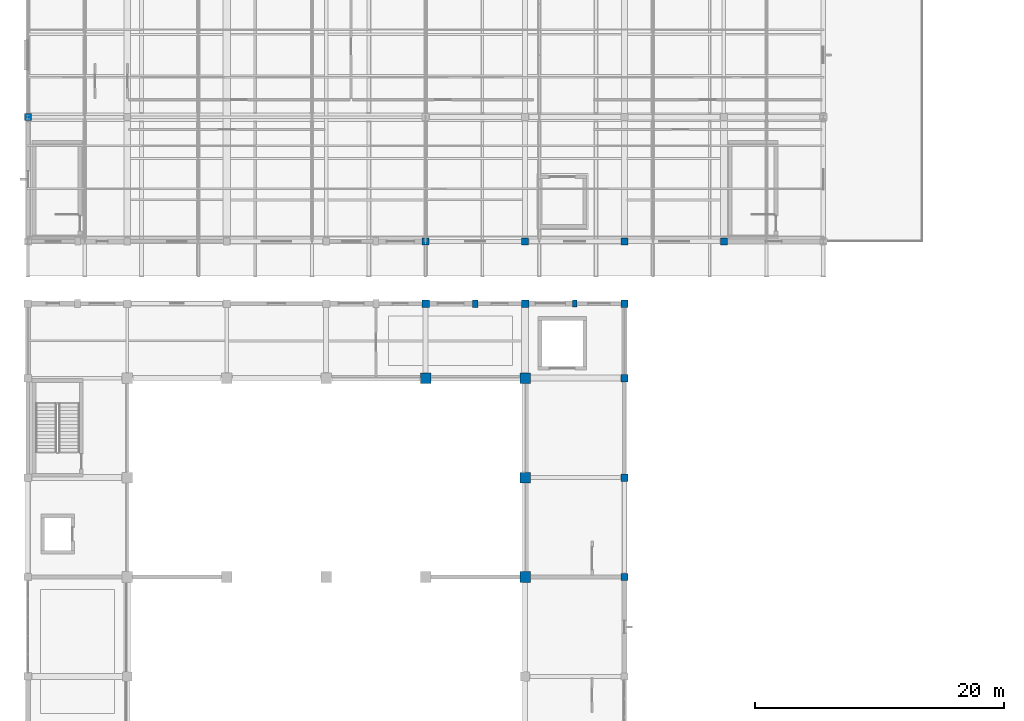
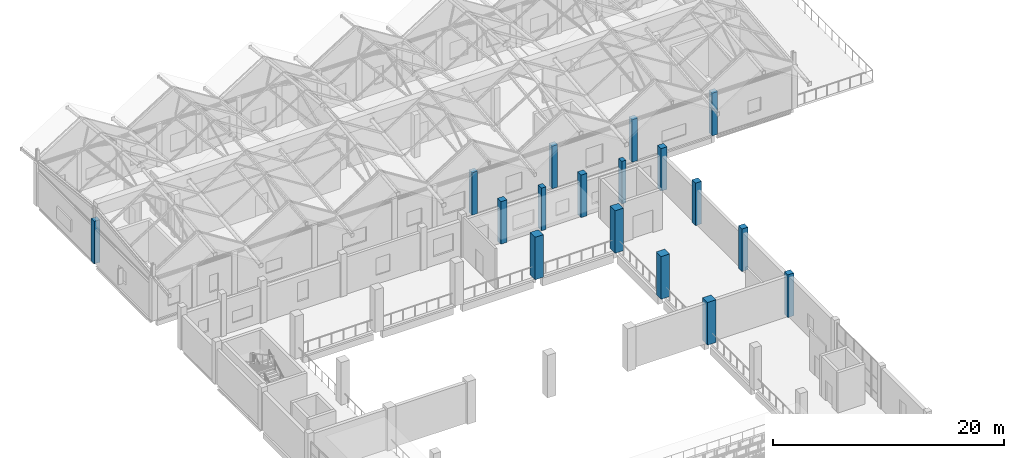
# One storey, part 4 of 183: 17 columns.
"""IFC4 building model written with IfcOpenShell, lengths in metres."""

import ifcopenshell
import ifcopenshell.guid

model = None  # the IFC model being written
_history = None  # IfcOwnerHistory: only IFC2X3 demands one
_inside = {}  # id of a spatial element -> (the spatial element, [elements in it])
_under = {}  # id of a project, library or spatial element -> (it, [spatial elements below it])
_declared = {}  # id of a project -> (the project, [libraries it declares])
_typed = {}  # id of a type object -> (the type object, [elements of that type])
_made_of = {}  # id of a material, layer set ... -> (it, [elements and type objects made of it])


def new_model(schema):
    """Start an empty IFC model of exactly this schema.

    Asked for "IFC4X3", IfcOpenShell would pick the latest addendum, in which some entities
    have other attributes; the version numbers below select the first issue.
    IFC2X3 requires an IfcOwnerHistory on every rooted entity: one is made here for all.
    """
    global model, _history
    if schema == "IFC4X3":
        model = ifcopenshell.file(schema_version=(4, 3, 0, 0))
    else:
        model = ifcopenshell.file(schema=schema)
    _inside.clear()
    _under.clear()
    _declared.clear()
    _typed.clear()
    _made_of.clear()
    _history = None
    if model.schema == "IFC2X3":
        org = make("IfcOrganization", Name="unknown")
        user = make(
            "IfcPersonAndOrganization",
            ThePerson=make("IfcPerson", FamilyName="unknown"),
            TheOrganization=org,
        )
        app = make(
            "IfcApplication",
            ApplicationDeveloper=org,
            Version="unknown",
            ApplicationFullName="unknown",
            ApplicationIdentifier="unknown",
        )
        _history = make(
            "IfcOwnerHistory",
            OwningUser=user,
            OwningApplication=app,
            ChangeAction="ADDED",
            CreationDate=0,
        )
    return model


def make(cls, **values):
    """One entity of the class cls with the attributes given. An attribute that is None is left unset."""
    return model.create_entity(
        cls, **{name: value for name, value in values.items() if value is not None}
    )


def rooted(cls, **values):
    """An entity with a GlobalId (a new one), such as an element, a storey or a relation."""
    return make(cls, GlobalId=ifcopenshell.guid.new(), OwnerHistory=_history, **values)


def si_unit(unit_type, name, prefix=None):
    """IfcSIUnit, for example si_unit("LENGTHUNIT", "METRE", prefix="MILLI")."""
    return make("IfcSIUnit", UnitType=unit_type, Prefix=prefix, Name=name)


def assignment(units):
    """IfcUnitAssignment: the units of a project."""
    return None if units is None else make("IfcUnitAssignment", Units=units)


def point(xyz):
    """IfcCartesianPoint."""
    return None if xyz is None else make("IfcCartesianPoint", Coordinates=xyz)


def direction(xyz):
    """IfcDirection."""
    return None if xyz is None else make("IfcDirection", DirectionRatios=xyz)


def frame(location, z_axis=None, x_axis=None):
    """IfcAxis2Placement3D, a coordinate frame: its origin and axes. An axis left out is left unset."""
    return make(
        "IfcAxis2Placement3D",
        Location=point(location),
        Axis=direction(z_axis),
        RefDirection=direction(x_axis),
    )


def frame_2d(location, x_axis=None):
    """IfcAxis2Placement2D, a coordinate frame in the plane: its origin and x axis."""
    return make(
        "IfcAxis2Placement2D", Location=point(location), RefDirection=direction(x_axis)
    )


def origin():
    """The frame at (0, 0, 0) with its axes left unset."""
    return frame((0.0, 0.0, 0.0))


def origin_2d():
    """The frame at (0, 0) in the plane with its x axis left unset."""
    return frame_2d((0.0, 0.0))


def place(relative_to, where):
    """IfcLocalPlacement: puts the frame where relative to a parent placement (None: the world)."""
    return make(
        "IfcLocalPlacement", PlacementRelTo=relative_to, RelativePlacement=where
    )


def context(
    kind, dimensions, precision=None, world=None, true_north=None, identifier=None
):
    """IfcGeometricRepresentationContext, for example the 3D "Model" context."""
    return make(
        "IfcGeometricRepresentationContext",
        ContextIdentifier=identifier,
        ContextType=kind,
        CoordinateSpaceDimension=dimensions,
        Precision=precision,
        WorldCoordinateSystem=world,
        TrueNorth=true_north,
    )


def subcontext(parent, identifier, kind, view, scale=None):
    """IfcGeometricRepresentationSubContext, for example "Body" below "Model"."""
    return make(
        "IfcGeometricRepresentationSubContext",
        ContextIdentifier=identifier,
        ContextType=kind,
        ParentContext=parent,
        TargetScale=scale,
        TargetView=view,
    )


def project(units=None, contexts=None):
    """IfcProject with its units and contexts."""
    return rooted(
        "IfcProject",
        Name="project",
        RepresentationContexts=contexts,
        UnitsInContext=assignment(units),
    )


def spatial(cls, under=None, at=None, **own):
    """A site, building, storey or space (cls), placed at a placement, below another one or the project."""
    s = rooted(cls, ObjectPlacement=at, **own)
    if under is not None:
        _under.setdefault(under.id(), (under, []))[1].append(s)
    return s


def profile(cls, at=None, kind="AREA", **sizes):
    """A parametric profile (cls). Its sizes go by their IFC names, for example OverallWidth=200.0."""
    return make(cls, ProfileType=kind, Position=at, **sizes)


def rectangle(**sizes):
    """IfcRectangleProfileDef."""
    return profile("IfcRectangleProfileDef", **sizes)


def extrude(swept, where, along, depth):
    """IfcExtrudedAreaSolid: the profile swept, set in the frame where, extruded along a direction by depth."""
    return make(
        "IfcExtrudedAreaSolid",
        SweptArea=swept,
        Position=where,
        ExtrudedDirection=direction(along),
        Depth=depth,
    )


def shape(context_of_items, identifier, shape_type, items):
    """IfcShapeRepresentation: the items that make up one representation, for example the "Body"."""
    return make(
        "IfcShapeRepresentation",
        ContextOfItems=context_of_items,
        RepresentationIdentifier=identifier,
        RepresentationType=shape_type,
        Items=items,
    )


def material(Name=None, Category=None):
    """IfcMaterial."""
    return make("IfcMaterial", Name=Name, Category=Category)


def material_profile(
    of_material, cross_section, Name=None, Category=None, Priority=None
):
    """IfcMaterialProfile: a cross section and its material."""
    return make(
        "IfcMaterialProfile",
        Name=Name,
        Material=of_material,
        Profile=cross_section,
        Priority=Priority,
        Category=Category,
    )


def profile_set(profiles, Name=None, composite=None):
    """IfcMaterialProfileSet."""
    return make(
        "IfcMaterialProfileSet",
        Name=Name,
        MaterialProfiles=profiles,
        CompositeProfile=composite,
    )


def made_of(thing, what):
    """Note that an element or type object is made of a material, layer set ...; save() writes the relation."""
    if what is not None:
        _made_of.setdefault(what.id(), (what, []))[1].append(thing)
    return thing


def type_object(cls, material=None, **own):
    """A type object (cls), such as IfcWallType, which elements share."""
    return made_of(rooted(cls, **own), material)


def element(
    cls,
    number,
    at=None,
    inside=None,
    cuts=None,
    type_object=None,
    material=None,
    context=None,
    identifier="Body",
    shape_type=None,
    held_by="IfcProductDefinitionShape",
    body=None,
    shapes=None,
    **own,
):
    """One element of the class cls, such as IfcWall. Its Tag is "e" and its number.

    at: its placement. inside: the storey or other place that contains it. cuts: it is an
    opening in that element (IfcRelVoidsElement). A single representation is given by context,
    identifier, shape_type and body (its items); several are given by shapes. held_by: the class
    of the entity that holds the representations. save() writes the other relations.
    """
    e = rooted(cls, Tag="e%d" % number, ObjectPlacement=at, **own)
    if body is not None:
        shapes = [shape(context, identifier, shape_type, body)]
    if shapes is not None:
        e.Representation = make(held_by, Representations=shapes)
    if inside is not None:
        _inside.setdefault(inside.id(), (inside, []))[1].append(e)
    if cuts is not None:
        rooted(
            "IfcRelVoidsElement", RelatingBuildingElement=cuts, RelatedOpeningElement=e
        )
    if type_object is not None:
        _typed.setdefault(type_object.id(), (type_object, []))[1].append(e)
    return made_of(e, material)


def aggregate(whole, parts):
    """IfcRelAggregates: a whole, such as a stair, and the parts it consists of."""
    return rooted("IfcRelAggregates", RelatingObject=whole, RelatedObjects=parts)


def save(model, path):
    """Write the relations noted so far, then the file.

    IfcRelAggregates (storeys below a building ...), IfcRelContainedInSpatialStructure (elements
    in a storey), IfcRelDefinesByType, IfcRelAssociatesMaterial and IfcRelDeclares: one each for
    every whole, place, type object, material and project.
    """
    for whole, parts in _under.values():
        aggregate(whole, parts)
    for where, things in _inside.values():
        rooted(
            "IfcRelContainedInSpatialStructure",
            RelatedElements=things,
            RelatingStructure=where,
        )
    for kind, things in _typed.values():
        rooted("IfcRelDefinesByType", RelatedObjects=things, RelatingType=kind)
    for what, things in _made_of.values():
        rooted("IfcRelAssociatesMaterial", RelatedObjects=things, RelatingMaterial=what)
    for by, libraries in _declared.values():
        rooted("IfcRelDeclares", RelatingContext=by, RelatedDefinitions=libraries)
    model.write(path)


model = new_model("IFC4")

# Units and contexts
model_context = context("Model", 3, precision=1e-05, world=origin(), true_north=direction((0.0, 1.0)))
body_context = subcontext(model_context, "Body", "Model", "MODEL_VIEW")
ifc_project = project(units=[si_unit("LENGTHUNIT", "METRE"), si_unit("AREAUNIT", "SQUARE_METRE"), si_unit("VOLUMEUNIT", "CUBIC_METRE"), si_unit("PLANEANGLEUNIT", "RADIAN"), si_unit("MASSUNIT", "GRAM", prefix="KILO")], contexts=[model_context])

# Site, building, storey
site_placement = place(None, origin())
site = spatial("IfcSite", under=ifc_project, at=site_placement, CompositionType="ELEMENT")
building_placement = place(site_placement, origin())
building = spatial("IfcBuilding", under=site, at=building_placement, Name="Luwemba Playhouse", CompositionType="ELEMENT")
storey_placement = place(building_placement, frame((0.0, 0.0, 4.800048828125)))
storey = spatial("IfcBuildingStorey", under=building, at=storey_placement, Name="L01", CompositionType="ELEMENT", Elevation=4.800048828125)

# Columns
ifc_material = material(Name="Concrete C40/50", Category="concrete")
ifc_material_profile_1 = material_profile(ifc_material, rectangle(XDim=0.550048828125, YDim=0.550048828125, at=origin_2d()))
ifc_profile_set_1 = profile_set([ifc_material_profile_1], Name="Concrete C40/50")
column_type_1 = type_object("IfcColumnType", Name="COL-C03", PredefinedType="COLUMN", material=ifc_profile_set_1)
for number, where, z_axis, x_axis, name in (
    (1, (4.0, 105.0, 0.0), (0.0, 0.0, 1.0), (1.0, 0.0, 0.0), "L01 column 014"),
    (2, (36.0, 95.0, 0.0), (0.0, 0.0, 1.0), (1.0, 0.0, 0.0), "L01 column 084"),
    (3, (44.0, 95.0, 0.0), (0.0, 0.0, 1.0), (1.0, 0.0, 0.0), "L01 column 104"),
    (4, (52.0, 95.0, 0.0), (0.0, 0.0, 1.0), (1.0, 0.0, 0.0), "L01 column 124"),
    (5, (60.0, 95.0, 0.0), (0.0, 0.0, 1.0), (1.0, 0.0, 0.0), "L01 column 134"),
):
    element("IfcColumn", number, at=place(storey_placement, frame(where, z_axis=z_axis, x_axis=x_axis)), inside=storey, type_object=column_type_1, Name=name, PredefinedType="COLUMN", context=body_context, shape_type="SweptSolid", body=[
        extrude(rectangle(XDim=0.550048828125, YDim=0.550048828125, at=origin_2d()), origin(), (0.0, 0.0, 1.0), 4.5),
    ])
ifc_material_profile_2 = material_profile(ifc_material, rectangle(XDim=0.60009765625, YDim=0.60009765625, at=origin_2d()))
ifc_profile_set_2 = profile_set([ifc_material_profile_2], Name="Concrete C40/50")
column_type_2 = type_object("IfcColumnType", Name="COL-C04", PredefinedType="COLUMN", material=ifc_profile_set_2)
for number, where, z_axis, x_axis, name in (
    (6, (36.0, 90.0, 0.0), (0.0, 0.0, 1.0), (1.0, 0.0, 0.0), "L01 column 083"),
    (7, (44.0, 90.0, 0.0), (0.0, 0.0, 1.0), (1.0, 0.0, 0.0), "L01 column 103"),
    (8, (52.0, 68.0, 0.0), (0.0, 0.0, 1.0), (1.0, 0.0, 0.0), "L01 column 120"),
    (9, (52.0, 76.0, 0.0), (0.0, 0.0, 1.0), (1.0, 0.0, 0.0), "L01 column 121"),
    (10, (52.0, 84.0, 0.0), (0.0, 0.0, 1.0), (1.0, 0.0, 0.0), "L01 column 122"),
    (11, (52.0, 90.0, 0.0), (0.0, 0.0, 1.0), (1.0, 0.0, 0.0), "L01 column 123"),
):
    element("IfcColumn", number, at=place(storey_placement, frame(where, z_axis=z_axis, x_axis=x_axis)), inside=storey, type_object=column_type_2, Name=name, PredefinedType="COLUMN", context=body_context, shape_type="SweptSolid", body=[
        extrude(rectangle(XDim=0.60009765625, YDim=0.60009765625, at=origin_2d()), origin(), (0.0, 0.0, 1.0), 4.5),
    ])
ifc_material_profile_3 = material_profile(ifc_material, rectangle(XDim=0.85009765625, YDim=0.85009765625, at=origin_2d()))
ifc_profile_set_3 = profile_set([ifc_material_profile_3], Name="Concrete C40/50")
column_type_3 = type_object("IfcColumnType", Name="COL-C09", PredefinedType="COLUMN", material=ifc_profile_set_3)
for number, where, z_axis, x_axis, name in (
    (12, (36.0, 84.0, 0.0), (0.0, 0.0, 1.0), (1.0, 0.0, 0.0), "L01 column 082"),
    (13, (44.0, 68.0, 0.0), (0.0, 0.0, 1.0), (1.0, 0.0, 0.0), "L01 column 100"),
    (14, (44.0, 76.0, 0.0), (0.0, 0.0, 1.0), (1.0, 0.0, 0.0), "L01 column 101"),
    (15, (44.0, 84.0, 0.0), (0.0, 0.0, 1.0), (1.0, 0.0, 0.0), "L01 column 102"),
):
    element("IfcColumn", number, at=place(storey_placement, frame(where, z_axis=z_axis, x_axis=x_axis)), inside=storey, type_object=column_type_3, Name=name, PredefinedType="COLUMN", context=body_context, shape_type="SweptSolid", body=[
        extrude(rectangle(XDim=0.85009765625, YDim=0.85009765625, at=origin_2d()), origin(), (0.0, 0.0, 1.0), 4.5),
    ])
ifc_material_profile_4 = material_profile(ifc_material, rectangle(XDim=0.39990234375, YDim=0.550048828125, at=origin_2d()))
ifc_profile_set_4 = profile_set([ifc_material_profile_4], Name="Concrete C40/50")
column_type_4 = type_object("IfcColumnType", Name="COL-PIL1", PredefinedType="PILASTER", material=ifc_profile_set_4)
column_1_placement = place(storey_placement, frame((48.0, 90.0, 0.0), z_axis=(0.0, 0.0, 1.0), x_axis=(1.0, 0.0, 0.0)))
element("IfcColumn", 16, at=column_1_placement, inside=storey, type_object=column_type_4, Name="L01 column 110", PredefinedType="PILASTER", context=body_context, shape_type="SweptSolid", body=[
    extrude(rectangle(XDim=0.39990234375, YDim=0.550048828125, at=origin_2d()), origin(), (0.0, 0.0, 1.0), 4.5),
])
ifc_material_profile_5 = material_profile(ifc_material, rectangle(XDim=0.449951171875, YDim=0.60009765625, at=origin_2d()))
ifc_profile_set_5 = profile_set([ifc_material_profile_5], Name="Concrete C40/50")
column_type_5 = type_object("IfcColumnType", Name="COL-PIL2", PredefinedType="PILASTER", material=ifc_profile_set_5)
column_2_placement = place(storey_placement, frame((40.0, 90.0, 0.0), z_axis=(0.0, 0.0, 1.0), x_axis=(1.0, 0.0, 0.0)))
element("IfcColumn", 17, at=column_2_placement, inside=storey, type_object=column_type_5, Name="L01 column 090", PredefinedType="PILASTER", context=body_context, shape_type="SweptSolid", body=[
    extrude(rectangle(XDim=0.449951171875, YDim=0.60009765625, at=origin_2d()), origin(), (0.0, 0.0, 1.0), 4.5),
])

save(model, "model.ifc")
